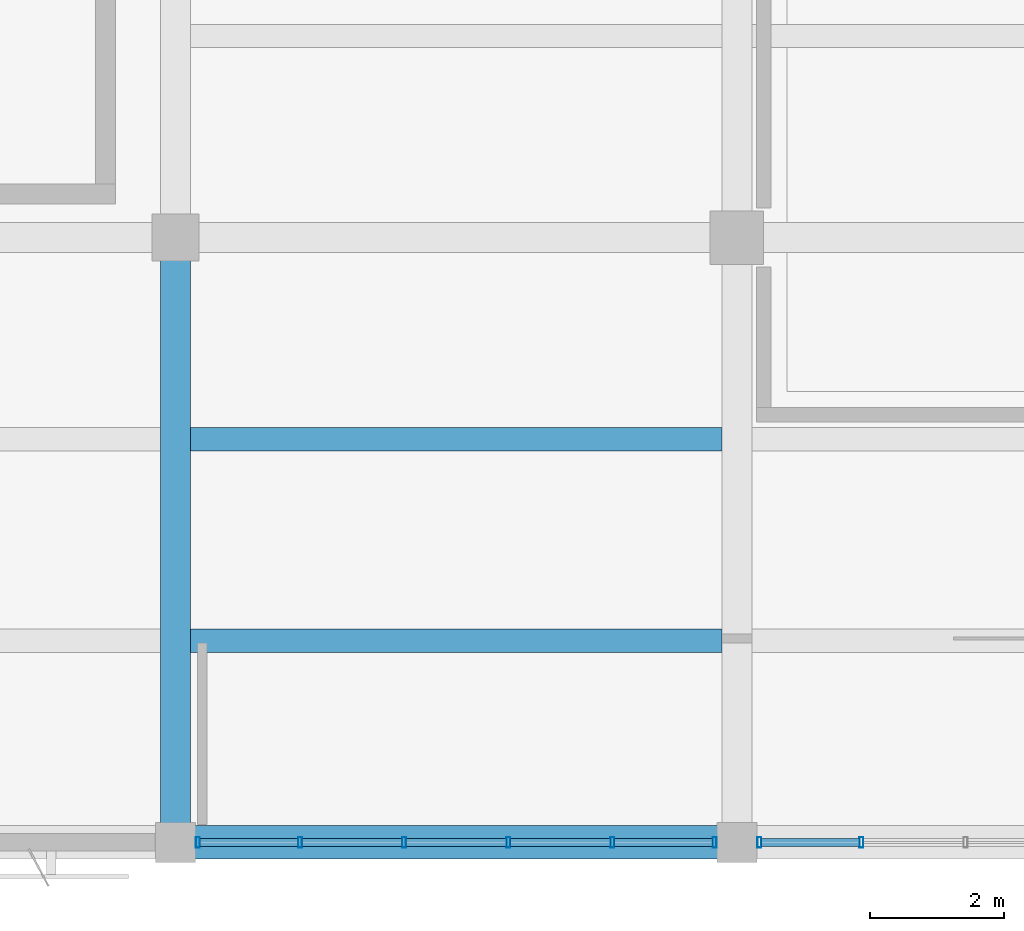
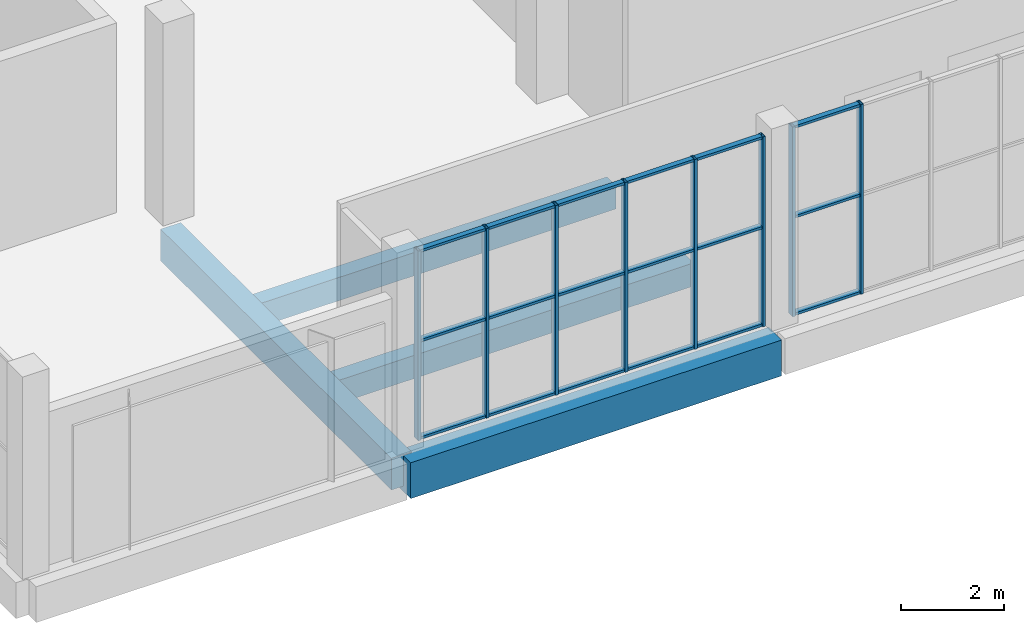
# One storey, part 5 of 80: 26 members, 4 beams, 2 elements without a shape of their own.
"""IFC4 building model written with IfcOpenShell, lengths in metres."""

from ifc_helpers import new_model, si_unit, direction, frame, origin, origin_2d, place, context, subcontext, project, spatial, rectangle, hollow_rectangle, extrude, material, material_profile, profile_set, type_object, element, aggregate, save


model = new_model("IFC4")

# Units and contexts
model_context = context("Model", 3, precision=1e-05, world=origin(), true_north=direction((0.0, 1.0)))
body_context = subcontext(model_context, "Body", "Model", "MODEL_VIEW")
ifc_project = project(units=[si_unit("LENGTHUNIT", "METRE"), si_unit("AREAUNIT", "SQUARE_METRE"), si_unit("VOLUMEUNIT", "CUBIC_METRE"), si_unit("PLANEANGLEUNIT", "RADIAN"), si_unit("MASSUNIT", "GRAM", prefix="KILO")], contexts=[model_context])

# Site, building, storey
site_placement = place(None, origin())
site = spatial("IfcSite", under=ifc_project, at=site_placement, CompositionType="ELEMENT")
building_placement = place(site_placement, origin())
building = spatial("IfcBuilding", under=site, at=building_placement, Name="Khurvash Pelagic Aquarium", CompositionType="ELEMENT")
storey_placement = place(building_placement, frame((0.0, 0.0, 10.800048828125)))
storey = spatial("IfcBuildingStorey", under=building, at=storey_placement, Name="L02", CompositionType="ELEMENT", Elevation=10.800048828125)

# Beam
ifc_material_1 = material(Name="Concrete C35/45", Category="concrete")
ifc_material_profile_1 = material_profile(ifc_material_1, rectangle(XDim=0.449951171875, YDim=0.75, at=origin_2d()), Name="RC450X750")
ifc_profile_set_1 = profile_set([ifc_material_profile_1], Name="Concrete C35/45")
beam_type_1 = type_object("IfcBeamType", Name="BM-04", PredefinedType="BEAM", material=ifc_profile_set_1)
beam_1_placement = place(storey_placement, frame((33.60009765625, 2.639892578125, -0.675048828125), z_axis=(0.0, 1.0, 0.0), x_axis=(-1.0, 0.0, 0.0)))
element("IfcBeam", 1, at=beam_1_placement, inside=storey, type_object=beam_type_1, Name="L02 Primary Girder BM-04 00665", PredefinedType="BEAM", context=body_context, shape_type="SweptSolid", body=[
    extrude(rectangle(XDim=0.449951171875, YDim=0.75, at=origin_2d()), origin(), (0.0, 0.0, 1.0), 8.97021484375),
])

# Curtain wall, members
ifc_material_2 = material(Name="Anodised aluminium and low-E laminated glass", Category="aluminium")
curtain_wall_type = type_object("IfcCurtainWallType", Name="CW-06", PredefinedType="USERDEFINED", material=ifc_material_2)
curtain_wall_1_placement = place(storey_placement, origin())
curtain_wall_1 = element("IfcCurtainWall", 2, at=curtain_wall_1_placement, inside=storey, type_object=curtain_wall_type, Name="L02 Facade Unitised Curtain Wall CW-06 0151", ObjectType="UNITISED CURTAIN WALL", PredefinedType="USERDEFINED")
ifc_material_3 = material(Name="Extruded aluminium AW-6063-T6", Category="aluminium")
ifc_material_profile_2 = material_profile(ifc_material_3, hollow_rectangle(XDim=0.06005859375, YDim=0.159912109375, WallThickness=0.00390625, at=origin_2d()), Name="CWM60X160X4")
ifc_profile_set_2 = profile_set([ifc_material_profile_2], Name="Extruded aluminium AW-6063-T6")
member_type_1 = type_object("IfcMemberType", Name="CM-02", PredefinedType="MULLION", material=ifc_profile_set_2)
member_1_placement = place(storey_placement, frame((33.93505859375, 2.60009765625, 0.0), z_axis=(0.0, 0.0, 1.0), x_axis=(1.0, 0.0, 0.0)))
member_1 = element("IfcMember", 3, at=member_1_placement, type_object=member_type_1, Name="CW-06 mullion 1", PredefinedType="MULLION", context=body_context, shape_type="SweptSolid", body=[
    extrude(hollow_rectangle(XDim=0.06005859375, YDim=0.159912109375, WallThickness=0.00390625, at=origin_2d()), origin(), (0.0, 0.0, 1.0), 4.5),
])
member_2_placement = place(storey_placement, frame((35.462890625, 2.60009765625, 0.0), z_axis=(0.0, 0.0, 1.0), x_axis=(1.0, 0.0, 0.0)))
member_2 = element("IfcMember", 4, at=member_2_placement, type_object=member_type_1, Name="CW-06 mullion 2", PredefinedType="MULLION", context=body_context, shape_type="SweptSolid", body=[
    extrude(hollow_rectangle(XDim=0.06005859375, YDim=0.159912109375, WallThickness=0.00390625, at=origin_2d()), origin(), (0.0, 0.0, 1.0), 4.5),
])
member_3_placement = place(storey_placement, frame((37.02099609375, 2.60009765625, 0.0), z_axis=(0.0, 0.0, 1.0), x_axis=(1.0, 0.0, 0.0)))
member_3 = element("IfcMember", 5, at=member_3_placement, type_object=member_type_1, Name="CW-06 mullion 3", PredefinedType="MULLION", context=body_context, shape_type="SweptSolid", body=[
    extrude(hollow_rectangle(XDim=0.06005859375, YDim=0.159912109375, WallThickness=0.00390625, at=origin_2d()), origin(), (0.0, 0.0, 1.0), 4.5),
])
member_4_placement = place(storey_placement, frame((38.5791015625, 2.60009765625, 0.0), z_axis=(0.0, 0.0, 1.0), x_axis=(1.0, 0.0, 0.0)))
member_4 = element("IfcMember", 6, at=member_4_placement, type_object=member_type_1, Name="CW-06 mullion 4", PredefinedType="MULLION", context=body_context, shape_type="SweptSolid", body=[
    extrude(hollow_rectangle(XDim=0.06005859375, YDim=0.159912109375, WallThickness=0.00390625, at=origin_2d()), origin(), (0.0, 0.0, 1.0), 4.5),
])
member_5_placement = place(storey_placement, frame((40.136962890625, 2.60009765625, 0.0), z_axis=(0.0, 0.0, 1.0), x_axis=(1.0, 0.0, 0.0)))
member_5 = element("IfcMember", 7, at=member_5_placement, type_object=member_type_1, Name="CW-06 mullion 5", PredefinedType="MULLION", context=body_context, shape_type="SweptSolid", body=[
    extrude(hollow_rectangle(XDim=0.06005859375, YDim=0.159912109375, WallThickness=0.00390625, at=origin_2d()), origin(), (0.0, 0.0, 1.0), 4.5),
])
member_6_placement = place(storey_placement, frame((41.6650390625, 2.60009765625, 0.0), z_axis=(0.0, 0.0, 1.0), x_axis=(1.0, 0.0, 0.0)))
member_6 = element("IfcMember", 8, at=member_6_placement, type_object=member_type_1, Name="CW-06 mullion 6", PredefinedType="MULLION", context=body_context, shape_type="SweptSolid", body=[
    extrude(hollow_rectangle(XDim=0.06005859375, YDim=0.159912109375, WallThickness=0.00390625, at=origin_2d()), origin(), (0.0, 0.0, 1.0), 4.5),
])

curtain_wall_2_placement = place(storey_placement, origin())
curtain_wall_2 = element("IfcCurtainWall", 9, at=curtain_wall_2_placement, inside=storey, type_object=curtain_wall_type, Name="L02 Facade Unitised Curtain Wall CW-06 0152", ObjectType="UNITISED CURTAIN WALL", PredefinedType="USERDEFINED")
member_7_placement = place(storey_placement, frame((42.3349609375, 2.60009765625, 0.0), z_axis=(0.0, 0.0, 1.0), x_axis=(1.0, 0.0, 0.0)))
member_7 = element("IfcMember", 10, at=member_7_placement, type_object=member_type_1, Name="CW-06 mullion 1", PredefinedType="MULLION", context=body_context, shape_type="SweptSolid", body=[
    extrude(hollow_rectangle(XDim=0.06005859375, YDim=0.159912109375, WallThickness=0.00390625, at=origin_2d()), origin(), (0.0, 0.0, 1.0), 4.5),
])
member_8_placement = place(storey_placement, frame((43.863037109375, 2.60009765625, 0.0), z_axis=(0.0, 0.0, 1.0), x_axis=(1.0, 0.0, 0.0)))
member_8 = element("IfcMember", 11, at=member_8_placement, type_object=member_type_1, Name="CW-06 mullion 2", PredefinedType="MULLION", context=body_context, shape_type="SweptSolid", body=[
    extrude(hollow_rectangle(XDim=0.06005859375, YDim=0.159912109375, WallThickness=0.00390625, at=origin_2d()), origin(), (0.0, 0.0, 1.0), 4.5),
])

# Member
ifc_material_profile_3 = material_profile(ifc_material_3, hollow_rectangle(XDim=0.1201171875, YDim=0.06005859375, WallThickness=0.00390625, at=origin_2d()), Name="CWT120X60X4")
ifc_profile_set_3 = profile_set([ifc_material_profile_3], Name="Extruded aluminium AW-6063-T6")
member_type_2 = type_object("IfcMemberType", Name="CT-02", PredefinedType="USERDEFINED", material=ifc_profile_set_3)
member_9_placement = place(storey_placement, frame((33.965087890625, 2.60009765625, 0.030029296875), z_axis=(1.0, 0.0, 0.0), x_axis=(0.0, 1.0, 0.0)))
member_9 = element("IfcMember", 12, at=member_9_placement, type_object=member_type_2, Name="CW-06 transom 1.1", ObjectType="TRANSOM", PredefinedType="USERDEFINED", context=body_context, shape_type="SweptSolid", body=[
    extrude(hollow_rectangle(XDim=0.1201171875, YDim=0.06005859375, WallThickness=0.00390625, at=origin_2d()), origin(), (0.0, 0.0, 1.0), 1.468017578125),
])

member_10_placement = place(storey_placement, frame((33.965087890625, 2.60009765625, 2.33984375), z_axis=(1.0, 0.0, 0.0), x_axis=(0.0, 1.0, 0.0)))
member_10 = element("IfcMember", 13, at=member_10_placement, type_object=member_type_2, Name="CW-06 transom 1.2", ObjectType="TRANSOM", PredefinedType="USERDEFINED", context=body_context, shape_type="SweptSolid", body=[
    extrude(hollow_rectangle(XDim=0.1201171875, YDim=0.06005859375, WallThickness=0.00390625, at=origin_2d()), origin(), (0.0, 0.0, 1.0), 1.468017578125),
])

member_11_placement = place(storey_placement, frame((33.965087890625, 2.60009765625, 4.469970703125), z_axis=(1.0, 0.0, 0.0), x_axis=(0.0, 1.0, 0.0)))
member_11 = element("IfcMember", 14, at=member_11_placement, type_object=member_type_2, Name="CW-06 transom 1.3", ObjectType="TRANSOM", PredefinedType="USERDEFINED", context=body_context, shape_type="SweptSolid", body=[
    extrude(hollow_rectangle(XDim=0.1201171875, YDim=0.06005859375, WallThickness=0.00390625, at=origin_2d()), origin(), (0.0, 0.0, 1.0), 1.468017578125),
])

member_12_placement = place(storey_placement, frame((35.492919921875, 2.60009765625, 0.030029296875), z_axis=(1.0, 0.0, 0.0), x_axis=(0.0, 1.0, 0.0)))
member_12 = element("IfcMember", 15, at=member_12_placement, type_object=member_type_2, Name="CW-06 transom 2.1", ObjectType="TRANSOM", PredefinedType="USERDEFINED", context=body_context, shape_type="SweptSolid", body=[
    extrude(hollow_rectangle(XDim=0.1201171875, YDim=0.06005859375, WallThickness=0.00390625, at=origin_2d()), origin(), (0.0, 0.0, 1.0), 1.498046875),
])

member_13_placement = place(storey_placement, frame((35.492919921875, 2.60009765625, 2.33984375), z_axis=(1.0, 0.0, 0.0), x_axis=(0.0, 1.0, 0.0)))
member_13 = element("IfcMember", 16, at=member_13_placement, type_object=member_type_2, Name="CW-06 transom 2.2", ObjectType="TRANSOM", PredefinedType="USERDEFINED", context=body_context, shape_type="SweptSolid", body=[
    extrude(hollow_rectangle(XDim=0.1201171875, YDim=0.06005859375, WallThickness=0.00390625, at=origin_2d()), origin(), (0.0, 0.0, 1.0), 1.498046875),
])

member_14_placement = place(storey_placement, frame((35.492919921875, 2.60009765625, 4.469970703125), z_axis=(1.0, 0.0, 0.0), x_axis=(0.0, 1.0, 0.0)))
member_14 = element("IfcMember", 17, at=member_14_placement, type_object=member_type_2, Name="CW-06 transom 2.3", ObjectType="TRANSOM", PredefinedType="USERDEFINED", context=body_context, shape_type="SweptSolid", body=[
    extrude(hollow_rectangle(XDim=0.1201171875, YDim=0.06005859375, WallThickness=0.00390625, at=origin_2d()), origin(), (0.0, 0.0, 1.0), 1.498046875),
])

member_15_placement = place(storey_placement, frame((37.051025390625, 2.60009765625, 0.030029296875), z_axis=(1.0, 0.0, 0.0), x_axis=(0.0, 1.0, 0.0)))
member_15 = element("IfcMember", 18, at=member_15_placement, type_object=member_type_2, Name="CW-06 transom 3.1", ObjectType="TRANSOM", PredefinedType="USERDEFINED", context=body_context, shape_type="SweptSolid", body=[
    extrude(hollow_rectangle(XDim=0.1201171875, YDim=0.06005859375, WallThickness=0.00390625, at=origin_2d()), origin(), (0.0, 0.0, 1.0), 1.498046875),
])

member_16_placement = place(storey_placement, frame((37.051025390625, 2.60009765625, 2.33984375), z_axis=(1.0, 0.0, 0.0), x_axis=(0.0, 1.0, 0.0)))
member_16 = element("IfcMember", 19, at=member_16_placement, type_object=member_type_2, Name="CW-06 transom 3.2", ObjectType="TRANSOM", PredefinedType="USERDEFINED", context=body_context, shape_type="SweptSolid", body=[
    extrude(hollow_rectangle(XDim=0.1201171875, YDim=0.06005859375, WallThickness=0.00390625, at=origin_2d()), origin(), (0.0, 0.0, 1.0), 1.498046875),
])

member_17_placement = place(storey_placement, frame((37.051025390625, 2.60009765625, 4.469970703125), z_axis=(1.0, 0.0, 0.0), x_axis=(0.0, 1.0, 0.0)))
member_17 = element("IfcMember", 20, at=member_17_placement, type_object=member_type_2, Name="CW-06 transom 3.3", ObjectType="TRANSOM", PredefinedType="USERDEFINED", context=body_context, shape_type="SweptSolid", body=[
    extrude(hollow_rectangle(XDim=0.1201171875, YDim=0.06005859375, WallThickness=0.00390625, at=origin_2d()), origin(), (0.0, 0.0, 1.0), 1.498046875),
])

member_18_placement = place(storey_placement, frame((38.60888671875, 2.60009765625, 0.030029296875), z_axis=(1.0, 0.0, 0.0), x_axis=(0.0, 1.0, 0.0)))
member_18 = element("IfcMember", 21, at=member_18_placement, type_object=member_type_2, Name="CW-06 transom 4.1", ObjectType="TRANSOM", PredefinedType="USERDEFINED", context=body_context, shape_type="SweptSolid", body=[
    extrude(hollow_rectangle(XDim=0.1201171875, YDim=0.06005859375, WallThickness=0.00390625, at=origin_2d()), origin(), (0.0, 0.0, 1.0), 1.498046875),
])

member_19_placement = place(storey_placement, frame((38.60888671875, 2.60009765625, 2.33984375), z_axis=(1.0, 0.0, 0.0), x_axis=(0.0, 1.0, 0.0)))
member_19 = element("IfcMember", 22, at=member_19_placement, type_object=member_type_2, Name="CW-06 transom 4.2", ObjectType="TRANSOM", PredefinedType="USERDEFINED", context=body_context, shape_type="SweptSolid", body=[
    extrude(hollow_rectangle(XDim=0.1201171875, YDim=0.06005859375, WallThickness=0.00390625, at=origin_2d()), origin(), (0.0, 0.0, 1.0), 1.498046875),
])

member_20_placement = place(storey_placement, frame((38.60888671875, 2.60009765625, 4.469970703125), z_axis=(1.0, 0.0, 0.0), x_axis=(0.0, 1.0, 0.0)))
member_20 = element("IfcMember", 23, at=member_20_placement, type_object=member_type_2, Name="CW-06 transom 4.3", ObjectType="TRANSOM", PredefinedType="USERDEFINED", context=body_context, shape_type="SweptSolid", body=[
    extrude(hollow_rectangle(XDim=0.1201171875, YDim=0.06005859375, WallThickness=0.00390625, at=origin_2d()), origin(), (0.0, 0.0, 1.0), 1.498046875),
])

member_21_placement = place(storey_placement, frame((40.1669921875, 2.60009765625, 0.030029296875), z_axis=(1.0, 0.0, 0.0), x_axis=(0.0, 1.0, 0.0)))
member_21 = element("IfcMember", 24, at=member_21_placement, type_object=member_type_2, Name="CW-06 transom 5.1", ObjectType="TRANSOM", PredefinedType="USERDEFINED", context=body_context, shape_type="SweptSolid", body=[
    extrude(hollow_rectangle(XDim=0.1201171875, YDim=0.06005859375, WallThickness=0.00390625, at=origin_2d()), origin(), (0.0, 0.0, 1.0), 1.468017578125),
])

member_22_placement = place(storey_placement, frame((40.1669921875, 2.60009765625, 2.33984375), z_axis=(1.0, 0.0, 0.0), x_axis=(0.0, 1.0, 0.0)))
member_22 = element("IfcMember", 25, at=member_22_placement, type_object=member_type_2, Name="CW-06 transom 5.2", ObjectType="TRANSOM", PredefinedType="USERDEFINED", context=body_context, shape_type="SweptSolid", body=[
    extrude(hollow_rectangle(XDim=0.1201171875, YDim=0.06005859375, WallThickness=0.00390625, at=origin_2d()), origin(), (0.0, 0.0, 1.0), 1.468017578125),
])

member_23_placement = place(storey_placement, frame((40.1669921875, 2.60009765625, 4.469970703125), z_axis=(1.0, 0.0, 0.0), x_axis=(0.0, 1.0, 0.0)))
member_23 = element("IfcMember", 26, at=member_23_placement, type_object=member_type_2, Name="CW-06 transom 5.3", ObjectType="TRANSOM", PredefinedType="USERDEFINED", context=body_context, shape_type="SweptSolid", body=[
    extrude(hollow_rectangle(XDim=0.1201171875, YDim=0.06005859375, WallThickness=0.00390625, at=origin_2d()), origin(), (0.0, 0.0, 1.0), 1.468017578125),
])

aggregate(curtain_wall_1, [member_1, member_2, member_3, member_4, member_5, member_6, member_9, member_10, member_11, member_12, member_13, member_14, member_15, member_16, member_17, member_18, member_19, member_20, member_21, member_22, member_23])

member_24_placement = place(storey_placement, frame((42.364990234375, 2.60009765625, 0.030029296875), z_axis=(1.0, 0.0, 0.0), x_axis=(0.0, 1.0, 0.0)))
member_24 = element("IfcMember", 27, at=member_24_placement, type_object=member_type_2, Name="CW-06 transom 1.1", ObjectType="TRANSOM", PredefinedType="USERDEFINED", context=body_context, shape_type="SweptSolid", body=[
    extrude(hollow_rectangle(XDim=0.1201171875, YDim=0.06005859375, WallThickness=0.00390625, at=origin_2d()), origin(), (0.0, 0.0, 1.0), 1.468017578125),
])

member_25_placement = place(storey_placement, frame((42.364990234375, 2.60009765625, 2.33984375), z_axis=(1.0, 0.0, 0.0), x_axis=(0.0, 1.0, 0.0)))
member_25 = element("IfcMember", 28, at=member_25_placement, type_object=member_type_2, Name="CW-06 transom 1.2", ObjectType="TRANSOM", PredefinedType="USERDEFINED", context=body_context, shape_type="SweptSolid", body=[
    extrude(hollow_rectangle(XDim=0.1201171875, YDim=0.06005859375, WallThickness=0.00390625, at=origin_2d()), origin(), (0.0, 0.0, 1.0), 1.468017578125),
])

member_26_placement = place(storey_placement, frame((42.364990234375, 2.60009765625, 4.469970703125), z_axis=(1.0, 0.0, 0.0), x_axis=(0.0, 1.0, 0.0)))
member_26 = element("IfcMember", 29, at=member_26_placement, type_object=member_type_2, Name="CW-06 transom 1.3", ObjectType="TRANSOM", PredefinedType="USERDEFINED", context=body_context, shape_type="SweptSolid", body=[
    extrude(hollow_rectangle(XDim=0.1201171875, YDim=0.06005859375, WallThickness=0.00390625, at=origin_2d()), origin(), (0.0, 0.0, 1.0), 1.468017578125),
])

aggregate(curtain_wall_2, [member_7, member_8, member_24, member_25, member_26])

# Beams
ifc_material_profile_4 = material_profile(ifc_material_1, rectangle(XDim=0.35009765625, YDim=0.550048828125, at=origin_2d()), Name="RC350X550")
ifc_profile_set_4 = profile_set([ifc_material_profile_4], Name="Concrete C35/45")
beam_type_2 = type_object("IfcBeamType", Name="JS-01", PredefinedType="JOIST", material=ifc_profile_set_4)
for number, where, z_axis, x_axis, name in (
    (30, (33.824951171875, 5.616943359375, -0.574951171875), (1.0, 0.0, 0.0), (0.0, 1.0, 0.0), "L02 Floor Joist JS-01 00749"),
    (31, (33.824951171875, 8.633056640625, -0.574951171875), (1.0, 0.0, 0.0), (0.0, 1.0, 0.0), "L02 Floor Joist JS-01 00750"),
):
    element("IfcBeam", number, at=place(storey_placement, frame(where, z_axis=z_axis, x_axis=x_axis)), inside=storey, type_object=beam_type_2, Name=name, PredefinedType="JOIST", context=body_context, shape_type="SweptSolid", body=[
        extrude(rectangle(XDim=0.35009765625, YDim=0.550048828125, at=origin_2d()), origin(), (0.0, 0.0, 1.0), 7.949951171875),
    ])
ifc_material_4 = material(Name="Concrete C40/50", Category="concrete")
ifc_material_profile_5 = material_profile(ifc_material_4, rectangle(XDim=0.5, YDim=0.85009765625, at=origin_2d()), Name="RC500X850")
ifc_profile_set_5 = profile_set([ifc_material_profile_5], Name="Concrete C40/50")
beam_type_3 = type_object("IfcBeamType", Name="SEB-03", PredefinedType="SPANDREL", material=ifc_profile_set_5)
beam_2_placement = place(storey_placement, frame((33.639892578125, 2.60009765625, -0.7451171875), z_axis=(1.0, 0.0, 0.0), x_axis=(0.0, 1.0, 0.0)))
element("IfcBeam", 32, at=beam_2_placement, inside=storey, type_object=beam_type_3, Name="L02 Primary Girder SEB-03 00563", PredefinedType="SPANDREL", context=body_context, shape_type="SweptSolid", body=[
    extrude(rectangle(XDim=0.5, YDim=0.85009765625, at=origin_2d()), origin(), (0.0, 0.0, 1.0), 8.320068359375),
])

save(model, "model.ifc")
